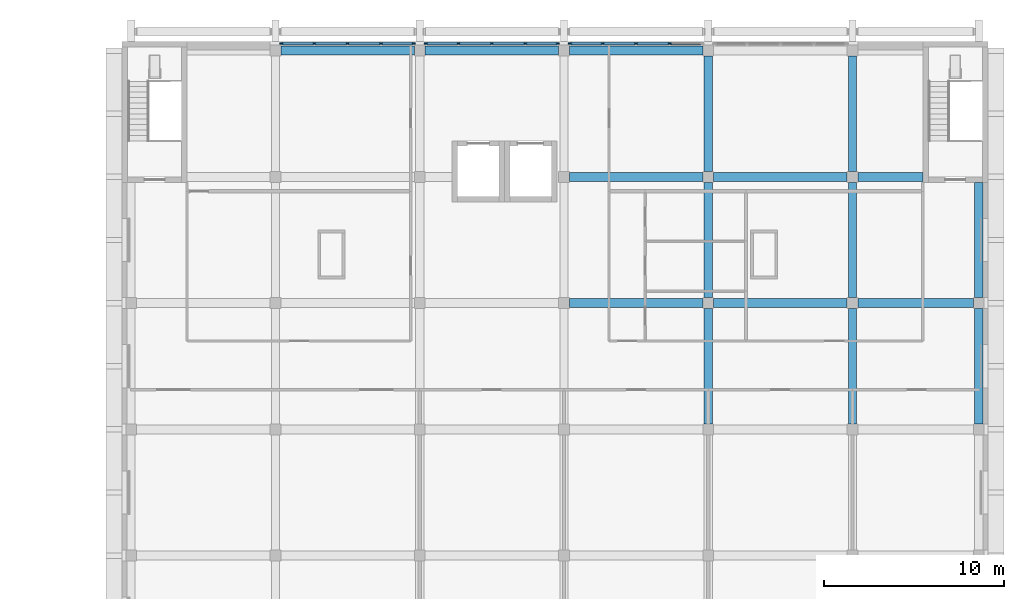
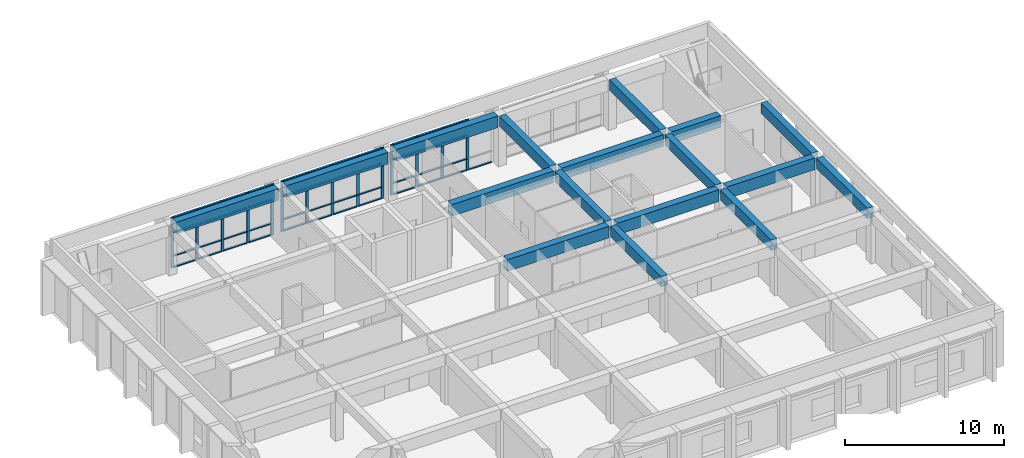
# One storey, part 9 of 21: 59 members, 17 beams, 3 elements without a shape of their own.
"""IFC4 building model written with IfcOpenShell, lengths in metres."""

import ifcopenshell
import ifcopenshell.guid

model = None  # the IFC model being written
_history = None  # IfcOwnerHistory: only IFC2X3 demands one
_inside = {}  # id of a spatial element -> (the spatial element, [elements in it])
_under = {}  # id of a project, library or spatial element -> (it, [spatial elements below it])
_declared = {}  # id of a project -> (the project, [libraries it declares])
_typed = {}  # id of a type object -> (the type object, [elements of that type])
_made_of = {}  # id of a material, layer set ... -> (it, [elements and type objects made of it])


def new_model(schema):
    """Start an empty IFC model of exactly this schema.

    Asked for "IFC4X3", IfcOpenShell would pick the latest addendum, in which some entities
    have other attributes; the version numbers below select the first issue.
    IFC2X3 requires an IfcOwnerHistory on every rooted entity: one is made here for all.
    """
    global model, _history
    if schema == "IFC4X3":
        model = ifcopenshell.file(schema_version=(4, 3, 0, 0))
    else:
        model = ifcopenshell.file(schema=schema)
    _inside.clear()
    _under.clear()
    _declared.clear()
    _typed.clear()
    _made_of.clear()
    _history = None
    if model.schema == "IFC2X3":
        org = make("IfcOrganization", Name="unknown")
        user = make(
            "IfcPersonAndOrganization",
            ThePerson=make("IfcPerson", FamilyName="unknown"),
            TheOrganization=org,
        )
        app = make(
            "IfcApplication",
            ApplicationDeveloper=org,
            Version="unknown",
            ApplicationFullName="unknown",
            ApplicationIdentifier="unknown",
        )
        _history = make(
            "IfcOwnerHistory",
            OwningUser=user,
            OwningApplication=app,
            ChangeAction="ADDED",
            CreationDate=0,
        )
    return model


def make(cls, **values):
    """One entity of the class cls with the attributes given. An attribute that is None is left unset."""
    return model.create_entity(
        cls, **{name: value for name, value in values.items() if value is not None}
    )


def rooted(cls, **values):
    """An entity with a GlobalId (a new one), such as an element, a storey or a relation."""
    return make(cls, GlobalId=ifcopenshell.guid.new(), OwnerHistory=_history, **values)


def si_unit(unit_type, name, prefix=None):
    """IfcSIUnit, for example si_unit("LENGTHUNIT", "METRE", prefix="MILLI")."""
    return make("IfcSIUnit", UnitType=unit_type, Prefix=prefix, Name=name)


def assignment(units):
    """IfcUnitAssignment: the units of a project."""
    return None if units is None else make("IfcUnitAssignment", Units=units)


def point(xyz):
    """IfcCartesianPoint."""
    return None if xyz is None else make("IfcCartesianPoint", Coordinates=xyz)


def direction(xyz):
    """IfcDirection."""
    return None if xyz is None else make("IfcDirection", DirectionRatios=xyz)


def frame(location, z_axis=None, x_axis=None):
    """IfcAxis2Placement3D, a coordinate frame: its origin and axes. An axis left out is left unset."""
    return make(
        "IfcAxis2Placement3D",
        Location=point(location),
        Axis=direction(z_axis),
        RefDirection=direction(x_axis),
    )


def frame_2d(location, x_axis=None):
    """IfcAxis2Placement2D, a coordinate frame in the plane: its origin and x axis."""
    return make(
        "IfcAxis2Placement2D", Location=point(location), RefDirection=direction(x_axis)
    )


def origin():
    """The frame at (0, 0, 0) with its axes left unset."""
    return frame((0.0, 0.0, 0.0))


def origin_2d():
    """The frame at (0, 0) in the plane with its x axis left unset."""
    return frame_2d((0.0, 0.0))


def place(relative_to, where):
    """IfcLocalPlacement: puts the frame where relative to a parent placement (None: the world)."""
    return make(
        "IfcLocalPlacement", PlacementRelTo=relative_to, RelativePlacement=where
    )


def context(
    kind, dimensions, precision=None, world=None, true_north=None, identifier=None
):
    """IfcGeometricRepresentationContext, for example the 3D "Model" context."""
    return make(
        "IfcGeometricRepresentationContext",
        ContextIdentifier=identifier,
        ContextType=kind,
        CoordinateSpaceDimension=dimensions,
        Precision=precision,
        WorldCoordinateSystem=world,
        TrueNorth=true_north,
    )


def subcontext(parent, identifier, kind, view, scale=None):
    """IfcGeometricRepresentationSubContext, for example "Body" below "Model"."""
    return make(
        "IfcGeometricRepresentationSubContext",
        ContextIdentifier=identifier,
        ContextType=kind,
        ParentContext=parent,
        TargetScale=scale,
        TargetView=view,
    )


def project(units=None, contexts=None):
    """IfcProject with its units and contexts."""
    return rooted(
        "IfcProject",
        Name="project",
        RepresentationContexts=contexts,
        UnitsInContext=assignment(units),
    )


def spatial(cls, under=None, at=None, **own):
    """A site, building, storey or space (cls), placed at a placement, below another one or the project."""
    s = rooted(cls, ObjectPlacement=at, **own)
    if under is not None:
        _under.setdefault(under.id(), (under, []))[1].append(s)
    return s


def profile(cls, at=None, kind="AREA", **sizes):
    """A parametric profile (cls). Its sizes go by their IFC names, for example OverallWidth=200.0."""
    return make(cls, ProfileType=kind, Position=at, **sizes)


def rectangle(**sizes):
    """IfcRectangleProfileDef."""
    return profile("IfcRectangleProfileDef", **sizes)


def extrude(swept, where, along, depth):
    """IfcExtrudedAreaSolid: the profile swept, set in the frame where, extruded along a direction by depth."""
    return make(
        "IfcExtrudedAreaSolid",
        SweptArea=swept,
        Position=where,
        ExtrudedDirection=direction(along),
        Depth=depth,
    )


def shape(context_of_items, identifier, shape_type, items):
    """IfcShapeRepresentation: the items that make up one representation, for example the "Body"."""
    return make(
        "IfcShapeRepresentation",
        ContextOfItems=context_of_items,
        RepresentationIdentifier=identifier,
        RepresentationType=shape_type,
        Items=items,
    )


def material(Name=None, Category=None):
    """IfcMaterial."""
    return make("IfcMaterial", Name=Name, Category=Category)


def material_profile(
    of_material, cross_section, Name=None, Category=None, Priority=None
):
    """IfcMaterialProfile: a cross section and its material."""
    return make(
        "IfcMaterialProfile",
        Name=Name,
        Material=of_material,
        Profile=cross_section,
        Priority=Priority,
        Category=Category,
    )


def profile_set(profiles, Name=None, composite=None):
    """IfcMaterialProfileSet."""
    return make(
        "IfcMaterialProfileSet",
        Name=Name,
        MaterialProfiles=profiles,
        CompositeProfile=composite,
    )


def made_of(thing, what):
    """Note that an element or type object is made of a material, layer set ...; save() writes the relation."""
    if what is not None:
        _made_of.setdefault(what.id(), (what, []))[1].append(thing)
    return thing


def type_object(cls, material=None, **own):
    """A type object (cls), such as IfcWallType, which elements share."""
    return made_of(rooted(cls, **own), material)


def element(
    cls,
    number,
    at=None,
    inside=None,
    cuts=None,
    type_object=None,
    material=None,
    context=None,
    identifier="Body",
    shape_type=None,
    held_by="IfcProductDefinitionShape",
    body=None,
    shapes=None,
    **own,
):
    """One element of the class cls, such as IfcWall. Its Tag is "e" and its number.

    at: its placement. inside: the storey or other place that contains it. cuts: it is an
    opening in that element (IfcRelVoidsElement). A single representation is given by context,
    identifier, shape_type and body (its items); several are given by shapes. held_by: the class
    of the entity that holds the representations. save() writes the other relations.
    """
    e = rooted(cls, Tag="e%d" % number, ObjectPlacement=at, **own)
    if body is not None:
        shapes = [shape(context, identifier, shape_type, body)]
    if shapes is not None:
        e.Representation = make(held_by, Representations=shapes)
    if inside is not None:
        _inside.setdefault(inside.id(), (inside, []))[1].append(e)
    if cuts is not None:
        rooted(
            "IfcRelVoidsElement", RelatingBuildingElement=cuts, RelatedOpeningElement=e
        )
    if type_object is not None:
        _typed.setdefault(type_object.id(), (type_object, []))[1].append(e)
    return made_of(e, material)


def aggregate(whole, parts):
    """IfcRelAggregates: a whole, such as a stair, and the parts it consists of."""
    return rooted("IfcRelAggregates", RelatingObject=whole, RelatedObjects=parts)


def save(model, path):
    """Write the relations noted so far, then the file.

    IfcRelAggregates (storeys below a building ...), IfcRelContainedInSpatialStructure (elements
    in a storey), IfcRelDefinesByType, IfcRelAssociatesMaterial and IfcRelDeclares: one each for
    every whole, place, type object, material and project.
    """
    for whole, parts in _under.values():
        aggregate(whole, parts)
    for where, things in _inside.values():
        rooted(
            "IfcRelContainedInSpatialStructure",
            RelatedElements=things,
            RelatingStructure=where,
        )
    for kind, things in _typed.values():
        rooted("IfcRelDefinesByType", RelatedObjects=things, RelatingType=kind)
    for what, things in _made_of.values():
        rooted("IfcRelAssociatesMaterial", RelatedObjects=things, RelatingMaterial=what)
    for by, libraries in _declared.values():
        rooted("IfcRelDeclares", RelatingContext=by, RelatedDefinitions=libraries)
    model.write(path)


model = new_model("IFC4")

# Units and contexts
model_context = context("Model", 3, precision=1e-05, world=origin(), true_north=direction((0.0, 1.0)))
body_context = subcontext(model_context, "Body", "Model", "MODEL_VIEW")
ifc_project = project(units=[si_unit("LENGTHUNIT", "METRE"), si_unit("AREAUNIT", "SQUARE_METRE"), si_unit("VOLUMEUNIT", "CUBIC_METRE"), si_unit("PLANEANGLEUNIT", "RADIAN"), si_unit("MASSUNIT", "GRAM", prefix="KILO")], contexts=[model_context])

# Site, building, storey
site_placement = place(None, origin())
site = spatial("IfcSite", under=ifc_project, at=site_placement, CompositionType="ELEMENT")
building_placement = place(site_placement, origin())
building = spatial("IfcBuilding", under=site, at=building_placement, Name="Elmora Arch Market Hall", CompositionType="ELEMENT")
storey_placement = place(building_placement, frame((0.0, 0.0, 14.39990234375)))
storey = spatial("IfcBuildingStorey", under=building, at=storey_placement, Name="L03", CompositionType="ELEMENT", Elevation=14.39990234375)

# Curtain wall, members
ifc_material_1 = material(Name="Aluminium", Category="aluminium")
curtain_wall_type = type_object("IfcCurtainWallType", Name="School front curtain wall", PredefinedType="NOTDEFINED", material=ifc_material_1)
curtain_wall_1_placement = place(storey_placement, origin())
curtain_wall_1 = element("IfcCurtainWall", 1, at=curtain_wall_1_placement, inside=storey, type_object=curtain_wall_type, Name="School street front L03 1", PredefinedType="NOTDEFINED")
ifc_material_2 = material(Name="Aluminium", Category="aluminium")
ifc_material_profile_1 = material_profile(ifc_material_2, rectangle(XDim=0.10009765625, YDim=0.199951171875, at=origin_2d()), Name="AL 100x200")
ifc_profile_set_1 = profile_set([ifc_material_profile_1], Name="Aluminium")
member_type_1 = type_object("IfcMemberType", Name="Mullion 100x200", PredefinedType="MULLION", material=ifc_profile_set_1)
member_1_placement = place(storey_placement, frame((94.85009765625, 165.89990234375, 0.0), z_axis=(0.0, 0.0, 1.0), x_axis=(0.0, 1.0, 0.0)))
member_1 = element("IfcMember", 2, at=member_1_placement, type_object=member_type_1, Name="CW5 mullion 1", PredefinedType="MULLION", context=body_context, shape_type="SweptSolid", body=[
    extrude(rectangle(XDim=0.10009765625, YDim=0.199951171875, at=origin_2d()), origin(), (0.0, 0.0, 1.0), 3.900146484375),
])
member_2_placement = place(storey_placement, frame((96.64990234375, 165.89990234375, 0.0), z_axis=(0.0, 0.0, 1.0), x_axis=(0.0, 1.0, 0.0)))
member_2 = element("IfcMember", 3, at=member_2_placement, type_object=member_type_1, Name="CW5 mullion 2", PredefinedType="MULLION", context=body_context, shape_type="SweptSolid", body=[
    extrude(rectangle(XDim=0.10009765625, YDim=0.199951171875, at=origin_2d()), origin(), (0.0, 0.0, 1.0), 3.900146484375),
])
member_3_placement = place(storey_placement, frame((98.5, 165.89990234375, 0.0), z_axis=(0.0, 0.0, 1.0), x_axis=(0.0, 1.0, 0.0)))
member_3 = element("IfcMember", 4, at=member_3_placement, type_object=member_type_1, Name="CW5 mullion 3", PredefinedType="MULLION", context=body_context, shape_type="SweptSolid", body=[
    extrude(rectangle(XDim=0.10009765625, YDim=0.199951171875, at=origin_2d()), origin(), (0.0, 0.0, 1.0), 3.900146484375),
])
member_4_placement = place(storey_placement, frame((100.35009765625, 165.89990234375, 0.0), z_axis=(0.0, 0.0, 1.0), x_axis=(0.0, 1.0, 0.0)))
member_4 = element("IfcMember", 5, at=member_4_placement, type_object=member_type_1, Name="CW5 mullion 4", PredefinedType="MULLION", context=body_context, shape_type="SweptSolid", body=[
    extrude(rectangle(XDim=0.10009765625, YDim=0.199951171875, at=origin_2d()), origin(), (0.0, 0.0, 1.0), 3.900146484375),
])
member_5_placement = place(storey_placement, frame((102.14990234375, 165.89990234375, 0.0), z_axis=(0.0, 0.0, 1.0), x_axis=(0.0, 1.0, 0.0)))
member_5 = element("IfcMember", 6, at=member_5_placement, type_object=member_type_1, Name="CW5 mullion 5", PredefinedType="MULLION", context=body_context, shape_type="SweptSolid", body=[
    extrude(rectangle(XDim=0.10009765625, YDim=0.199951171875, at=origin_2d()), origin(), (0.0, 0.0, 1.0), 3.900146484375),
])

curtain_wall_2_placement = place(storey_placement, origin())
curtain_wall_2 = element("IfcCurtainWall", 7, at=curtain_wall_2_placement, inside=storey, type_object=curtain_wall_type, Name="School street front L03 2", PredefinedType="NOTDEFINED")
member_6_placement = place(storey_placement, frame((102.85009765625, 165.89990234375, 0.0), z_axis=(0.0, 0.0, 1.0), x_axis=(0.0, 1.0, 0.0)))
member_6 = element("IfcMember", 8, at=member_6_placement, type_object=member_type_1, Name="CW5 mullion 1", PredefinedType="MULLION", context=body_context, shape_type="SweptSolid", body=[
    extrude(rectangle(XDim=0.10009765625, YDim=0.199951171875, at=origin_2d()), origin(), (0.0, 0.0, 1.0), 3.900146484375),
])
member_7_placement = place(storey_placement, frame((104.64990234375, 165.89990234375, 0.0), z_axis=(0.0, 0.0, 1.0), x_axis=(0.0, 1.0, 0.0)))
member_7 = element("IfcMember", 9, at=member_7_placement, type_object=member_type_1, Name="CW5 mullion 2", PredefinedType="MULLION", context=body_context, shape_type="SweptSolid", body=[
    extrude(rectangle(XDim=0.10009765625, YDim=0.199951171875, at=origin_2d()), origin(), (0.0, 0.0, 1.0), 3.900146484375),
])
member_8_placement = place(storey_placement, frame((106.5, 165.89990234375, 0.0), z_axis=(0.0, 0.0, 1.0), x_axis=(0.0, 1.0, 0.0)))
member_8 = element("IfcMember", 10, at=member_8_placement, type_object=member_type_1, Name="CW5 mullion 3", PredefinedType="MULLION", context=body_context, shape_type="SweptSolid", body=[
    extrude(rectangle(XDim=0.10009765625, YDim=0.199951171875, at=origin_2d()), origin(), (0.0, 0.0, 1.0), 3.900146484375),
])
member_9_placement = place(storey_placement, frame((108.35009765625, 165.89990234375, 0.0), z_axis=(0.0, 0.0, 1.0), x_axis=(0.0, 1.0, 0.0)))
member_9 = element("IfcMember", 11, at=member_9_placement, type_object=member_type_1, Name="CW5 mullion 4", PredefinedType="MULLION", context=body_context, shape_type="SweptSolid", body=[
    extrude(rectangle(XDim=0.10009765625, YDim=0.199951171875, at=origin_2d()), origin(), (0.0, 0.0, 1.0), 3.900146484375),
])
member_10_placement = place(storey_placement, frame((110.14990234375, 165.89990234375, 0.0), z_axis=(0.0, 0.0, 1.0), x_axis=(0.0, 1.0, 0.0)))
member_10 = element("IfcMember", 12, at=member_10_placement, type_object=member_type_1, Name="CW5 mullion 5", PredefinedType="MULLION", context=body_context, shape_type="SweptSolid", body=[
    extrude(rectangle(XDim=0.10009765625, YDim=0.199951171875, at=origin_2d()), origin(), (0.0, 0.0, 1.0), 3.900146484375),
])

curtain_wall_3_placement = place(storey_placement, origin())
curtain_wall_3 = element("IfcCurtainWall", 13, at=curtain_wall_3_placement, inside=storey, type_object=curtain_wall_type, Name="School street front L03 3", PredefinedType="NOTDEFINED")
member_11_placement = place(storey_placement, frame((110.85009765625, 165.89990234375, 0.0), z_axis=(0.0, 0.0, 1.0), x_axis=(0.0, 1.0, 0.0)))
member_11 = element("IfcMember", 14, at=member_11_placement, type_object=member_type_1, Name="CW5 mullion 1", PredefinedType="MULLION", context=body_context, shape_type="SweptSolid", body=[
    extrude(rectangle(XDim=0.10009765625, YDim=0.199951171875, at=origin_2d()), origin(), (0.0, 0.0, 1.0), 3.900146484375),
])
member_12_placement = place(storey_placement, frame((112.64990234375, 165.89990234375, 0.0), z_axis=(0.0, 0.0, 1.0), x_axis=(0.0, 1.0, 0.0)))
member_12 = element("IfcMember", 15, at=member_12_placement, type_object=member_type_1, Name="CW5 mullion 2", PredefinedType="MULLION", context=body_context, shape_type="SweptSolid", body=[
    extrude(rectangle(XDim=0.10009765625, YDim=0.199951171875, at=origin_2d()), origin(), (0.0, 0.0, 1.0), 3.900146484375),
])
member_13_placement = place(storey_placement, frame((114.5, 165.89990234375, 0.0), z_axis=(0.0, 0.0, 1.0), x_axis=(0.0, 1.0, 0.0)))
member_13 = element("IfcMember", 16, at=member_13_placement, type_object=member_type_1, Name="CW5 mullion 3", PredefinedType="MULLION", context=body_context, shape_type="SweptSolid", body=[
    extrude(rectangle(XDim=0.10009765625, YDim=0.199951171875, at=origin_2d()), origin(), (0.0, 0.0, 1.0), 3.900146484375),
])
member_14_placement = place(storey_placement, frame((116.35009765625, 165.89990234375, 0.0), z_axis=(0.0, 0.0, 1.0), x_axis=(0.0, 1.0, 0.0)))
member_14 = element("IfcMember", 17, at=member_14_placement, type_object=member_type_1, Name="CW5 mullion 4", PredefinedType="MULLION", context=body_context, shape_type="SweptSolid", body=[
    extrude(rectangle(XDim=0.10009765625, YDim=0.199951171875, at=origin_2d()), origin(), (0.0, 0.0, 1.0), 3.900146484375),
])

# Beams
ifc_material_3 = material(Name="Concrete C32/40", Category="concrete")
ifc_material_profile_2 = material_profile(ifc_material_3, rectangle(XDim=0.449951171875, YDim=0.800048828125, at=origin_2d()), Name="School beam 450x800")
ifc_profile_set_2 = profile_set([ifc_material_profile_2], Name="Concrete C32/40")
beam_type_1 = type_object("IfcBeamType", Name="School beam 450x800", PredefinedType="BEAM", material=ifc_profile_set_2)
for number, where, z_axis, x_axis, name in (
    (18, (118.5, 144.800048828125, 3.5), (0.0, 1.0, 0.0), (-1.0, 0.0, 0.0), "School beam SY5 L03.3"),
    (19, (118.5, 151.800048828125, 3.5), (0.0, 1.0, 0.0), (-1.0, 0.0, 0.0), "School beam SY5 L03.4"),
    (20, (118.5, 158.800048828125, 3.5), (0.0, 1.0, 0.0), (-1.0, 0.0, 0.0), "School beam SY5 L03.5"),
    (21, (126.5, 144.800048828125, 3.5), (0.0, 1.0, 0.0), (-1.0, 0.0, 0.0), "School beam SY6 L03.3"),
    (22, (126.5, 151.800048828125, 3.5), (0.0, 1.0, 0.0), (-1.0, 0.0, 0.0), "School beam SY6 L03.4"),
    (23, (126.5, 158.800048828125, 3.5), (0.0, 1.0, 0.0), (-1.0, 0.0, 0.0), "School beam SY6 L03.5"),
    (24, (133.5, 144.800048828125, 3.5), (0.0, 1.0, 0.0), (-1.0, 0.0, 0.0), "School beam SY7 L03.3"),
    (25, (133.5, 151.800048828125, 3.5), (0.0, 1.0, 0.0), (-1.0, 0.0, 0.0), "School beam SY7 L03.4"),
):
    element("IfcBeam", number, at=place(storey_placement, frame(where, z_axis=z_axis, x_axis=x_axis)), inside=storey, type_object=beam_type_1, Name=name, PredefinedType="BEAM", context=body_context, shape_type="SweptSolid", body=[
        extrude(rectangle(XDim=0.449951171875, YDim=0.800048828125, at=origin_2d()), origin(), (0.0, 0.0, 1.0), 6.39990234375),
    ])
ifc_material_4 = material(Name="Concrete C32/40", Category="concrete")
ifc_material_profile_3 = material_profile(ifc_material_4, rectangle(XDim=0.5, YDim=0.89990234375, at=origin_2d()), Name="School girder 500x900")
ifc_profile_set_3 = profile_set([ifc_material_profile_3], Name="Concrete C32/40")
beam_type_2 = type_object("IfcBeamType", Name="School girder 500x900", PredefinedType="BEAM", material=ifc_profile_set_3)
for number, where, z_axis, x_axis, name in (
    (26, (110.800048828125, 151.5, 3.4501953125), (1.0, 0.0, 0.0), (0.0, 1.0, 0.0), "School girder SX4 L03.4"),
    (27, (118.800048828125, 151.5, 3.4501953125), (1.0, 0.0, 0.0), (0.0, 1.0, 0.0), "School girder SX4 L03.5"),
):
    element("IfcBeam", number, at=place(storey_placement, frame(where, z_axis=z_axis, x_axis=x_axis)), inside=storey, type_object=beam_type_2, Name=name, PredefinedType="BEAM", context=body_context, shape_type="SweptSolid", body=[
        extrude(rectangle(XDim=0.5, YDim=0.89990234375, at=origin_2d()), origin(), (0.0, 0.0, 1.0), 7.39990234375),
    ])
beam_1_placement = place(storey_placement, frame((126.800048828125, 151.5, 3.4501953125), z_axis=(1.0, 0.0, 0.0), x_axis=(0.0, 1.0, 0.0)))
element("IfcBeam", 28, at=beam_1_placement, inside=storey, type_object=beam_type_2, Name="School girder SX4 L03.6", PredefinedType="BEAM", context=body_context, shape_type="SweptSolid", body=[
    extrude(rectangle(XDim=0.5, YDim=0.89990234375, at=origin_2d()), origin(), (0.0, 0.0, 1.0), 6.39990234375),
])
for number, where, z_axis, x_axis, name in (
    (29, (110.800048828125, 158.5, 3.4501953125), (1.0, 0.0, 0.0), (0.0, 1.0, 0.0), "School girder SX5 L03.4"),
    (30, (118.800048828125, 158.5, 3.4501953125), (1.0, 0.0, 0.0), (0.0, 1.0, 0.0), "School girder SX5 L03.5"),
):
    element("IfcBeam", number, at=place(storey_placement, frame(where, z_axis=z_axis, x_axis=x_axis)), inside=storey, type_object=beam_type_2, Name=name, PredefinedType="BEAM", context=body_context, shape_type="SweptSolid", body=[
        extrude(rectangle(XDim=0.5, YDim=0.89990234375, at=origin_2d()), origin(), (0.0, 0.0, 1.0), 7.39990234375),
    ])
beam_2_placement = place(storey_placement, frame((126.800048828125, 158.5, 3.4501953125), z_axis=(1.0, 0.0, 0.0), x_axis=(0.0, 1.0, 0.0)))
element("IfcBeam", 31, at=beam_2_placement, inside=storey, type_object=beam_type_2, Name="School girder SX5 L03.6", PredefinedType="BEAM", context=body_context, shape_type="SweptSolid", body=[
    extrude(rectangle(XDim=0.5, YDim=0.89990234375, at=origin_2d()), origin(), (0.0, 0.0, 1.0), 3.599853515625),
])
for number, where, z_axis, x_axis, name in (
    (32, (94.800048828125, 165.5, 3.4501953125), (1.0, 0.0, 0.0), (0.0, 1.0, 0.0), "School girder SX6 L03.2"),
    (33, (102.800048828125, 165.5, 3.4501953125), (1.0, 0.0, 0.0), (0.0, 1.0, 0.0), "School girder SX6 L03.3"),
    (34, (110.800048828125, 165.5, 3.4501953125), (1.0, 0.0, 0.0), (0.0, 1.0, 0.0), "School girder SX6 L03.4"),
):
    element("IfcBeam", number, at=place(storey_placement, frame(where, z_axis=z_axis, x_axis=x_axis)), inside=storey, type_object=beam_type_2, Name=name, PredefinedType="BEAM", context=body_context, shape_type="SweptSolid", body=[
        extrude(rectangle(XDim=0.5, YDim=0.89990234375, at=origin_2d()), origin(), (0.0, 0.0, 1.0), 7.39990234375),
    ])

# Member
ifc_material_5 = material(Name="Aluminium", Category="aluminium")
ifc_material_profile_4 = material_profile(ifc_material_5, rectangle(XDim=0.14990234375, YDim=0.074951171875, at=origin_2d()), Name="AL 150x75")
ifc_profile_set_4 = profile_set([ifc_material_profile_4], Name="Aluminium")
member_type_2 = type_object("IfcMemberType", Name="Transom 150x75", PredefinedType="USERDEFINED", material=ifc_profile_set_4)
member_15_placement = place(storey_placement, frame((94.89990234375, 165.89990234375, 0.03759765625), z_axis=(1.0, 0.0, 0.0), x_axis=(0.0, 1.0, 0.0)))
member_15 = element("IfcMember", 35, at=member_15_placement, type_object=member_type_2, Name="CW5 transom 1.1", ObjectType="TRANSOM", PredefinedType="USERDEFINED", context=body_context, shape_type="SweptSolid", body=[
    extrude(rectangle(XDim=0.14990234375, YDim=0.074951171875, at=origin_2d()), origin(), (0.0, 0.0, 1.0), 1.7001953125),
])

member_16_placement = place(storey_placement, frame((94.89990234375, 165.89990234375, 0.900146484375), z_axis=(1.0, 0.0, 0.0), x_axis=(0.0, 1.0, 0.0)))
member_16 = element("IfcMember", 36, at=member_16_placement, type_object=member_type_2, Name="CW5 transom 1.2", ObjectType="TRANSOM", PredefinedType="USERDEFINED", context=body_context, shape_type="SweptSolid", body=[
    extrude(rectangle(XDim=0.14990234375, YDim=0.074951171875, at=origin_2d()), origin(), (0.0, 0.0, 1.0), 1.7001953125),
])

member_17_placement = place(storey_placement, frame((94.89990234375, 165.89990234375, 2.7001953125), z_axis=(1.0, 0.0, 0.0), x_axis=(0.0, 1.0, 0.0)))
member_17 = element("IfcMember", 37, at=member_17_placement, type_object=member_type_2, Name="CW5 transom 1.3", ObjectType="TRANSOM", PredefinedType="USERDEFINED", context=body_context, shape_type="SweptSolid", body=[
    extrude(rectangle(XDim=0.14990234375, YDim=0.074951171875, at=origin_2d()), origin(), (0.0, 0.0, 1.0), 1.7001953125),
])

member_18_placement = place(storey_placement, frame((94.89990234375, 165.89990234375, 3.862548828125), z_axis=(1.0, 0.0, 0.0), x_axis=(0.0, 1.0, 0.0)))
member_18 = element("IfcMember", 38, at=member_18_placement, type_object=member_type_2, Name="CW5 transom 1.4", ObjectType="TRANSOM", PredefinedType="USERDEFINED", context=body_context, shape_type="SweptSolid", body=[
    extrude(rectangle(XDim=0.14990234375, YDim=0.074951171875, at=origin_2d()), origin(), (0.0, 0.0, 1.0), 1.7001953125),
])

member_19_placement = place(storey_placement, frame((96.699951171875, 165.89990234375, 0.03759765625), z_axis=(1.0, 0.0, 0.0), x_axis=(0.0, 1.0, 0.0)))
member_19 = element("IfcMember", 39, at=member_19_placement, type_object=member_type_2, Name="CW5 transom 2.1", ObjectType="TRANSOM", PredefinedType="USERDEFINED", context=body_context, shape_type="SweptSolid", body=[
    extrude(rectangle(XDim=0.14990234375, YDim=0.074951171875, at=origin_2d()), origin(), (0.0, 0.0, 1.0), 1.75),
])

member_20_placement = place(storey_placement, frame((96.699951171875, 165.89990234375, 0.900146484375), z_axis=(1.0, 0.0, 0.0), x_axis=(0.0, 1.0, 0.0)))
member_20 = element("IfcMember", 40, at=member_20_placement, type_object=member_type_2, Name="CW5 transom 2.2", ObjectType="TRANSOM", PredefinedType="USERDEFINED", context=body_context, shape_type="SweptSolid", body=[
    extrude(rectangle(XDim=0.14990234375, YDim=0.074951171875, at=origin_2d()), origin(), (0.0, 0.0, 1.0), 1.75),
])

member_21_placement = place(storey_placement, frame((96.699951171875, 165.89990234375, 2.7001953125), z_axis=(1.0, 0.0, 0.0), x_axis=(0.0, 1.0, 0.0)))
member_21 = element("IfcMember", 41, at=member_21_placement, type_object=member_type_2, Name="CW5 transom 2.3", ObjectType="TRANSOM", PredefinedType="USERDEFINED", context=body_context, shape_type="SweptSolid", body=[
    extrude(rectangle(XDim=0.14990234375, YDim=0.074951171875, at=origin_2d()), origin(), (0.0, 0.0, 1.0), 1.75),
])

member_22_placement = place(storey_placement, frame((96.699951171875, 165.89990234375, 3.862548828125), z_axis=(1.0, 0.0, 0.0), x_axis=(0.0, 1.0, 0.0)))
member_22 = element("IfcMember", 42, at=member_22_placement, type_object=member_type_2, Name="CW5 transom 2.4", ObjectType="TRANSOM", PredefinedType="USERDEFINED", context=body_context, shape_type="SweptSolid", body=[
    extrude(rectangle(XDim=0.14990234375, YDim=0.074951171875, at=origin_2d()), origin(), (0.0, 0.0, 1.0), 1.75),
])

member_23_placement = place(storey_placement, frame((98.550048828125, 165.89990234375, 0.03759765625), z_axis=(1.0, 0.0, 0.0), x_axis=(0.0, 1.0, 0.0)))
member_23 = element("IfcMember", 43, at=member_23_placement, type_object=member_type_2, Name="CW5 transom 3.1", ObjectType="TRANSOM", PredefinedType="USERDEFINED", context=body_context, shape_type="SweptSolid", body=[
    extrude(rectangle(XDim=0.14990234375, YDim=0.074951171875, at=origin_2d()), origin(), (0.0, 0.0, 1.0), 1.75),
])

member_24_placement = place(storey_placement, frame((98.550048828125, 165.89990234375, 0.900146484375), z_axis=(1.0, 0.0, 0.0), x_axis=(0.0, 1.0, 0.0)))
member_24 = element("IfcMember", 44, at=member_24_placement, type_object=member_type_2, Name="CW5 transom 3.2", ObjectType="TRANSOM", PredefinedType="USERDEFINED", context=body_context, shape_type="SweptSolid", body=[
    extrude(rectangle(XDim=0.14990234375, YDim=0.074951171875, at=origin_2d()), origin(), (0.0, 0.0, 1.0), 1.75),
])

member_25_placement = place(storey_placement, frame((98.550048828125, 165.89990234375, 2.7001953125), z_axis=(1.0, 0.0, 0.0), x_axis=(0.0, 1.0, 0.0)))
member_25 = element("IfcMember", 45, at=member_25_placement, type_object=member_type_2, Name="CW5 transom 3.3", ObjectType="TRANSOM", PredefinedType="USERDEFINED", context=body_context, shape_type="SweptSolid", body=[
    extrude(rectangle(XDim=0.14990234375, YDim=0.074951171875, at=origin_2d()), origin(), (0.0, 0.0, 1.0), 1.75),
])

member_26_placement = place(storey_placement, frame((98.550048828125, 165.89990234375, 3.862548828125), z_axis=(1.0, 0.0, 0.0), x_axis=(0.0, 1.0, 0.0)))
member_26 = element("IfcMember", 46, at=member_26_placement, type_object=member_type_2, Name="CW5 transom 3.4", ObjectType="TRANSOM", PredefinedType="USERDEFINED", context=body_context, shape_type="SweptSolid", body=[
    extrude(rectangle(XDim=0.14990234375, YDim=0.074951171875, at=origin_2d()), origin(), (0.0, 0.0, 1.0), 1.75),
])

member_27_placement = place(storey_placement, frame((100.39990234375, 165.89990234375, 0.03759765625), z_axis=(1.0, 0.0, 0.0), x_axis=(0.0, 1.0, 0.0)))
member_27 = element("IfcMember", 47, at=member_27_placement, type_object=member_type_2, Name="CW5 transom 4.1", ObjectType="TRANSOM", PredefinedType="USERDEFINED", context=body_context, shape_type="SweptSolid", body=[
    extrude(rectangle(XDim=0.14990234375, YDim=0.074951171875, at=origin_2d()), origin(), (0.0, 0.0, 1.0), 1.7001953125),
])

member_28_placement = place(storey_placement, frame((100.39990234375, 165.89990234375, 0.900146484375), z_axis=(1.0, 0.0, 0.0), x_axis=(0.0, 1.0, 0.0)))
member_28 = element("IfcMember", 48, at=member_28_placement, type_object=member_type_2, Name="CW5 transom 4.2", ObjectType="TRANSOM", PredefinedType="USERDEFINED", context=body_context, shape_type="SweptSolid", body=[
    extrude(rectangle(XDim=0.14990234375, YDim=0.074951171875, at=origin_2d()), origin(), (0.0, 0.0, 1.0), 1.7001953125),
])

member_29_placement = place(storey_placement, frame((100.39990234375, 165.89990234375, 2.7001953125), z_axis=(1.0, 0.0, 0.0), x_axis=(0.0, 1.0, 0.0)))
member_29 = element("IfcMember", 49, at=member_29_placement, type_object=member_type_2, Name="CW5 transom 4.3", ObjectType="TRANSOM", PredefinedType="USERDEFINED", context=body_context, shape_type="SweptSolid", body=[
    extrude(rectangle(XDim=0.14990234375, YDim=0.074951171875, at=origin_2d()), origin(), (0.0, 0.0, 1.0), 1.7001953125),
])

member_30_placement = place(storey_placement, frame((100.39990234375, 165.89990234375, 3.862548828125), z_axis=(1.0, 0.0, 0.0), x_axis=(0.0, 1.0, 0.0)))
member_30 = element("IfcMember", 50, at=member_30_placement, type_object=member_type_2, Name="CW5 transom 4.4", ObjectType="TRANSOM", PredefinedType="USERDEFINED", context=body_context, shape_type="SweptSolid", body=[
    extrude(rectangle(XDim=0.14990234375, YDim=0.074951171875, at=origin_2d()), origin(), (0.0, 0.0, 1.0), 1.7001953125),
])

aggregate(curtain_wall_1, [member_1, member_2, member_3, member_4, member_5, member_15, member_16, member_17, member_18, member_19, member_20, member_21, member_22, member_23, member_24, member_25, member_26, member_27, member_28, member_29, member_30])

member_31_placement = place(storey_placement, frame((102.89990234375, 165.89990234375, 0.03759765625), z_axis=(1.0, 0.0, 0.0), x_axis=(0.0, 1.0, 0.0)))
member_31 = element("IfcMember", 51, at=member_31_placement, type_object=member_type_2, Name="CW5 transom 1.1", ObjectType="TRANSOM", PredefinedType="USERDEFINED", context=body_context, shape_type="SweptSolid", body=[
    extrude(rectangle(XDim=0.14990234375, YDim=0.074951171875, at=origin_2d()), origin(), (0.0, 0.0, 1.0), 1.7001953125),
])

member_32_placement = place(storey_placement, frame((102.89990234375, 165.89990234375, 0.900146484375), z_axis=(1.0, 0.0, 0.0), x_axis=(0.0, 1.0, 0.0)))
member_32 = element("IfcMember", 52, at=member_32_placement, type_object=member_type_2, Name="CW5 transom 1.2", ObjectType="TRANSOM", PredefinedType="USERDEFINED", context=body_context, shape_type="SweptSolid", body=[
    extrude(rectangle(XDim=0.14990234375, YDim=0.074951171875, at=origin_2d()), origin(), (0.0, 0.0, 1.0), 1.7001953125),
])

member_33_placement = place(storey_placement, frame((102.89990234375, 165.89990234375, 2.7001953125), z_axis=(1.0, 0.0, 0.0), x_axis=(0.0, 1.0, 0.0)))
member_33 = element("IfcMember", 53, at=member_33_placement, type_object=member_type_2, Name="CW5 transom 1.3", ObjectType="TRANSOM", PredefinedType="USERDEFINED", context=body_context, shape_type="SweptSolid", body=[
    extrude(rectangle(XDim=0.14990234375, YDim=0.074951171875, at=origin_2d()), origin(), (0.0, 0.0, 1.0), 1.7001953125),
])

member_34_placement = place(storey_placement, frame((102.89990234375, 165.89990234375, 3.862548828125), z_axis=(1.0, 0.0, 0.0), x_axis=(0.0, 1.0, 0.0)))
member_34 = element("IfcMember", 54, at=member_34_placement, type_object=member_type_2, Name="CW5 transom 1.4", ObjectType="TRANSOM", PredefinedType="USERDEFINED", context=body_context, shape_type="SweptSolid", body=[
    extrude(rectangle(XDim=0.14990234375, YDim=0.074951171875, at=origin_2d()), origin(), (0.0, 0.0, 1.0), 1.7001953125),
])

member_35_placement = place(storey_placement, frame((104.699951171875, 165.89990234375, 0.03759765625), z_axis=(1.0, 0.0, 0.0), x_axis=(0.0, 1.0, 0.0)))
member_35 = element("IfcMember", 55, at=member_35_placement, type_object=member_type_2, Name="CW5 transom 2.1", ObjectType="TRANSOM", PredefinedType="USERDEFINED", context=body_context, shape_type="SweptSolid", body=[
    extrude(rectangle(XDim=0.14990234375, YDim=0.074951171875, at=origin_2d()), origin(), (0.0, 0.0, 1.0), 1.75),
])

member_36_placement = place(storey_placement, frame((104.699951171875, 165.89990234375, 0.900146484375), z_axis=(1.0, 0.0, 0.0), x_axis=(0.0, 1.0, 0.0)))
member_36 = element("IfcMember", 56, at=member_36_placement, type_object=member_type_2, Name="CW5 transom 2.2", ObjectType="TRANSOM", PredefinedType="USERDEFINED", context=body_context, shape_type="SweptSolid", body=[
    extrude(rectangle(XDim=0.14990234375, YDim=0.074951171875, at=origin_2d()), origin(), (0.0, 0.0, 1.0), 1.75),
])

member_37_placement = place(storey_placement, frame((104.699951171875, 165.89990234375, 2.7001953125), z_axis=(1.0, 0.0, 0.0), x_axis=(0.0, 1.0, 0.0)))
member_37 = element("IfcMember", 57, at=member_37_placement, type_object=member_type_2, Name="CW5 transom 2.3", ObjectType="TRANSOM", PredefinedType="USERDEFINED", context=body_context, shape_type="SweptSolid", body=[
    extrude(rectangle(XDim=0.14990234375, YDim=0.074951171875, at=origin_2d()), origin(), (0.0, 0.0, 1.0), 1.75),
])

member_38_placement = place(storey_placement, frame((104.699951171875, 165.89990234375, 3.862548828125), z_axis=(1.0, 0.0, 0.0), x_axis=(0.0, 1.0, 0.0)))
member_38 = element("IfcMember", 58, at=member_38_placement, type_object=member_type_2, Name="CW5 transom 2.4", ObjectType="TRANSOM", PredefinedType="USERDEFINED", context=body_context, shape_type="SweptSolid", body=[
    extrude(rectangle(XDim=0.14990234375, YDim=0.074951171875, at=origin_2d()), origin(), (0.0, 0.0, 1.0), 1.75),
])

member_39_placement = place(storey_placement, frame((106.550048828125, 165.89990234375, 0.03759765625), z_axis=(1.0, 0.0, 0.0), x_axis=(0.0, 1.0, 0.0)))
member_39 = element("IfcMember", 59, at=member_39_placement, type_object=member_type_2, Name="CW5 transom 3.1", ObjectType="TRANSOM", PredefinedType="USERDEFINED", context=body_context, shape_type="SweptSolid", body=[
    extrude(rectangle(XDim=0.14990234375, YDim=0.074951171875, at=origin_2d()), origin(), (0.0, 0.0, 1.0), 1.75),
])

member_40_placement = place(storey_placement, frame((106.550048828125, 165.89990234375, 0.900146484375), z_axis=(1.0, 0.0, 0.0), x_axis=(0.0, 1.0, 0.0)))
member_40 = element("IfcMember", 60, at=member_40_placement, type_object=member_type_2, Name="CW5 transom 3.2", ObjectType="TRANSOM", PredefinedType="USERDEFINED", context=body_context, shape_type="SweptSolid", body=[
    extrude(rectangle(XDim=0.14990234375, YDim=0.074951171875, at=origin_2d()), origin(), (0.0, 0.0, 1.0), 1.75),
])

member_41_placement = place(storey_placement, frame((106.550048828125, 165.89990234375, 2.7001953125), z_axis=(1.0, 0.0, 0.0), x_axis=(0.0, 1.0, 0.0)))
member_41 = element("IfcMember", 61, at=member_41_placement, type_object=member_type_2, Name="CW5 transom 3.3", ObjectType="TRANSOM", PredefinedType="USERDEFINED", context=body_context, shape_type="SweptSolid", body=[
    extrude(rectangle(XDim=0.14990234375, YDim=0.074951171875, at=origin_2d()), origin(), (0.0, 0.0, 1.0), 1.75),
])

member_42_placement = place(storey_placement, frame((106.550048828125, 165.89990234375, 3.862548828125), z_axis=(1.0, 0.0, 0.0), x_axis=(0.0, 1.0, 0.0)))
member_42 = element("IfcMember", 62, at=member_42_placement, type_object=member_type_2, Name="CW5 transom 3.4", ObjectType="TRANSOM", PredefinedType="USERDEFINED", context=body_context, shape_type="SweptSolid", body=[
    extrude(rectangle(XDim=0.14990234375, YDim=0.074951171875, at=origin_2d()), origin(), (0.0, 0.0, 1.0), 1.75),
])

member_43_placement = place(storey_placement, frame((108.39990234375, 165.89990234375, 0.03759765625), z_axis=(1.0, 0.0, 0.0), x_axis=(0.0, 1.0, 0.0)))
member_43 = element("IfcMember", 63, at=member_43_placement, type_object=member_type_2, Name="CW5 transom 4.1", ObjectType="TRANSOM", PredefinedType="USERDEFINED", context=body_context, shape_type="SweptSolid", body=[
    extrude(rectangle(XDim=0.14990234375, YDim=0.074951171875, at=origin_2d()), origin(), (0.0, 0.0, 1.0), 1.7001953125),
])

member_44_placement = place(storey_placement, frame((108.39990234375, 165.89990234375, 0.900146484375), z_axis=(1.0, 0.0, 0.0), x_axis=(0.0, 1.0, 0.0)))
member_44 = element("IfcMember", 64, at=member_44_placement, type_object=member_type_2, Name="CW5 transom 4.2", ObjectType="TRANSOM", PredefinedType="USERDEFINED", context=body_context, shape_type="SweptSolid", body=[
    extrude(rectangle(XDim=0.14990234375, YDim=0.074951171875, at=origin_2d()), origin(), (0.0, 0.0, 1.0), 1.7001953125),
])

member_45_placement = place(storey_placement, frame((108.39990234375, 165.89990234375, 2.7001953125), z_axis=(1.0, 0.0, 0.0), x_axis=(0.0, 1.0, 0.0)))
member_45 = element("IfcMember", 65, at=member_45_placement, type_object=member_type_2, Name="CW5 transom 4.3", ObjectType="TRANSOM", PredefinedType="USERDEFINED", context=body_context, shape_type="SweptSolid", body=[
    extrude(rectangle(XDim=0.14990234375, YDim=0.074951171875, at=origin_2d()), origin(), (0.0, 0.0, 1.0), 1.7001953125),
])

member_46_placement = place(storey_placement, frame((108.39990234375, 165.89990234375, 3.862548828125), z_axis=(1.0, 0.0, 0.0), x_axis=(0.0, 1.0, 0.0)))
member_46 = element("IfcMember", 66, at=member_46_placement, type_object=member_type_2, Name="CW5 transom 4.4", ObjectType="TRANSOM", PredefinedType="USERDEFINED", context=body_context, shape_type="SweptSolid", body=[
    extrude(rectangle(XDim=0.14990234375, YDim=0.074951171875, at=origin_2d()), origin(), (0.0, 0.0, 1.0), 1.7001953125),
])

aggregate(curtain_wall_2, [member_6, member_7, member_8, member_9, member_10, member_31, member_32, member_33, member_34, member_35, member_36, member_37, member_38, member_39, member_40, member_41, member_42, member_43, member_44, member_45, member_46])

member_47_placement = place(storey_placement, frame((110.89990234375, 165.89990234375, 0.03759765625), z_axis=(1.0, 0.0, 0.0), x_axis=(0.0, 1.0, 0.0)))
member_47 = element("IfcMember", 67, at=member_47_placement, type_object=member_type_2, Name="CW5 transom 1.1", ObjectType="TRANSOM", PredefinedType="USERDEFINED", context=body_context, shape_type="SweptSolid", body=[
    extrude(rectangle(XDim=0.14990234375, YDim=0.074951171875, at=origin_2d()), origin(), (0.0, 0.0, 1.0), 1.7001953125),
])

member_48_placement = place(storey_placement, frame((110.89990234375, 165.89990234375, 0.900146484375), z_axis=(1.0, 0.0, 0.0), x_axis=(0.0, 1.0, 0.0)))
member_48 = element("IfcMember", 68, at=member_48_placement, type_object=member_type_2, Name="CW5 transom 1.2", ObjectType="TRANSOM", PredefinedType="USERDEFINED", context=body_context, shape_type="SweptSolid", body=[
    extrude(rectangle(XDim=0.14990234375, YDim=0.074951171875, at=origin_2d()), origin(), (0.0, 0.0, 1.0), 1.7001953125),
])

member_49_placement = place(storey_placement, frame((110.89990234375, 165.89990234375, 2.7001953125), z_axis=(1.0, 0.0, 0.0), x_axis=(0.0, 1.0, 0.0)))
member_49 = element("IfcMember", 69, at=member_49_placement, type_object=member_type_2, Name="CW5 transom 1.3", ObjectType="TRANSOM", PredefinedType="USERDEFINED", context=body_context, shape_type="SweptSolid", body=[
    extrude(rectangle(XDim=0.14990234375, YDim=0.074951171875, at=origin_2d()), origin(), (0.0, 0.0, 1.0), 1.7001953125),
])

member_50_placement = place(storey_placement, frame((110.89990234375, 165.89990234375, 3.862548828125), z_axis=(1.0, 0.0, 0.0), x_axis=(0.0, 1.0, 0.0)))
member_50 = element("IfcMember", 70, at=member_50_placement, type_object=member_type_2, Name="CW5 transom 1.4", ObjectType="TRANSOM", PredefinedType="USERDEFINED", context=body_context, shape_type="SweptSolid", body=[
    extrude(rectangle(XDim=0.14990234375, YDim=0.074951171875, at=origin_2d()), origin(), (0.0, 0.0, 1.0), 1.7001953125),
])

member_51_placement = place(storey_placement, frame((112.699951171875, 165.89990234375, 0.03759765625), z_axis=(1.0, 0.0, 0.0), x_axis=(0.0, 1.0, 0.0)))
member_51 = element("IfcMember", 71, at=member_51_placement, type_object=member_type_2, Name="CW5 transom 2.1", ObjectType="TRANSOM", PredefinedType="USERDEFINED", context=body_context, shape_type="SweptSolid", body=[
    extrude(rectangle(XDim=0.14990234375, YDim=0.074951171875, at=origin_2d()), origin(), (0.0, 0.0, 1.0), 1.75),
])

member_52_placement = place(storey_placement, frame((112.699951171875, 165.89990234375, 0.900146484375), z_axis=(1.0, 0.0, 0.0), x_axis=(0.0, 1.0, 0.0)))
member_52 = element("IfcMember", 72, at=member_52_placement, type_object=member_type_2, Name="CW5 transom 2.2", ObjectType="TRANSOM", PredefinedType="USERDEFINED", context=body_context, shape_type="SweptSolid", body=[
    extrude(rectangle(XDim=0.14990234375, YDim=0.074951171875, at=origin_2d()), origin(), (0.0, 0.0, 1.0), 1.75),
])

member_53_placement = place(storey_placement, frame((112.699951171875, 165.89990234375, 2.7001953125), z_axis=(1.0, 0.0, 0.0), x_axis=(0.0, 1.0, 0.0)))
member_53 = element("IfcMember", 73, at=member_53_placement, type_object=member_type_2, Name="CW5 transom 2.3", ObjectType="TRANSOM", PredefinedType="USERDEFINED", context=body_context, shape_type="SweptSolid", body=[
    extrude(rectangle(XDim=0.14990234375, YDim=0.074951171875, at=origin_2d()), origin(), (0.0, 0.0, 1.0), 1.75),
])

member_54_placement = place(storey_placement, frame((112.699951171875, 165.89990234375, 3.862548828125), z_axis=(1.0, 0.0, 0.0), x_axis=(0.0, 1.0, 0.0)))
member_54 = element("IfcMember", 74, at=member_54_placement, type_object=member_type_2, Name="CW5 transom 2.4", ObjectType="TRANSOM", PredefinedType="USERDEFINED", context=body_context, shape_type="SweptSolid", body=[
    extrude(rectangle(XDim=0.14990234375, YDim=0.074951171875, at=origin_2d()), origin(), (0.0, 0.0, 1.0), 1.75),
])

member_55_placement = place(storey_placement, frame((114.550048828125, 165.89990234375, 0.03759765625), z_axis=(1.0, 0.0, 0.0), x_axis=(0.0, 1.0, 0.0)))
member_55 = element("IfcMember", 75, at=member_55_placement, type_object=member_type_2, Name="CW5 transom 3.1", ObjectType="TRANSOM", PredefinedType="USERDEFINED", context=body_context, shape_type="SweptSolid", body=[
    extrude(rectangle(XDim=0.14990234375, YDim=0.074951171875, at=origin_2d()), origin(), (0.0, 0.0, 1.0), 1.75),
])

member_56_placement = place(storey_placement, frame((114.550048828125, 165.89990234375, 0.900146484375), z_axis=(1.0, 0.0, 0.0), x_axis=(0.0, 1.0, 0.0)))
member_56 = element("IfcMember", 76, at=member_56_placement, type_object=member_type_2, Name="CW5 transom 3.2", ObjectType="TRANSOM", PredefinedType="USERDEFINED", context=body_context, shape_type="SweptSolid", body=[
    extrude(rectangle(XDim=0.14990234375, YDim=0.074951171875, at=origin_2d()), origin(), (0.0, 0.0, 1.0), 1.75),
])

member_57_placement = place(storey_placement, frame((114.550048828125, 165.89990234375, 2.7001953125), z_axis=(1.0, 0.0, 0.0), x_axis=(0.0, 1.0, 0.0)))
member_57 = element("IfcMember", 77, at=member_57_placement, type_object=member_type_2, Name="CW5 transom 3.3", ObjectType="TRANSOM", PredefinedType="USERDEFINED", context=body_context, shape_type="SweptSolid", body=[
    extrude(rectangle(XDim=0.14990234375, YDim=0.074951171875, at=origin_2d()), origin(), (0.0, 0.0, 1.0), 1.75),
])

member_58_placement = place(storey_placement, frame((114.550048828125, 165.89990234375, 3.862548828125), z_axis=(1.0, 0.0, 0.0), x_axis=(0.0, 1.0, 0.0)))
member_58 = element("IfcMember", 78, at=member_58_placement, type_object=member_type_2, Name="CW5 transom 3.4", ObjectType="TRANSOM", PredefinedType="USERDEFINED", context=body_context, shape_type="SweptSolid", body=[
    extrude(rectangle(XDim=0.14990234375, YDim=0.074951171875, at=origin_2d()), origin(), (0.0, 0.0, 1.0), 1.75),
])

member_59_placement = place(storey_placement, frame((116.39990234375, 165.89990234375, 0.03759765625), z_axis=(1.0, 0.0, 0.0), x_axis=(0.0, 1.0, 0.0)))
member_59 = element("IfcMember", 79, at=member_59_placement, type_object=member_type_2, Name="CW5 transom 4.1", ObjectType="TRANSOM", PredefinedType="USERDEFINED", context=body_context, shape_type="SweptSolid", body=[
    extrude(rectangle(XDim=0.14990234375, YDim=0.074951171875, at=origin_2d()), origin(), (0.0, 0.0, 1.0), 1.7001953125),
])

aggregate(curtain_wall_3, [member_11, member_12, member_13, member_14, member_47, member_48, member_49, member_50, member_51, member_52, member_53, member_54, member_55, member_56, member_57, member_58, member_59])

save(model, "model.ifc")
